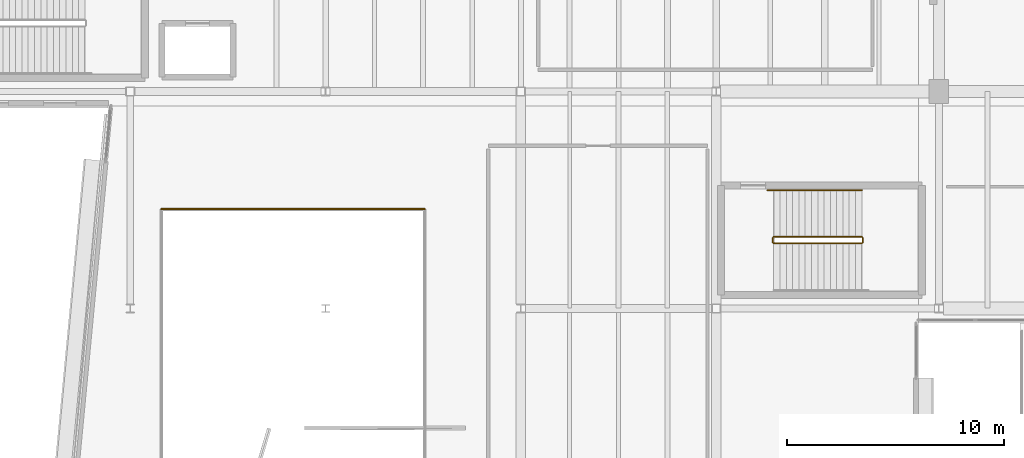
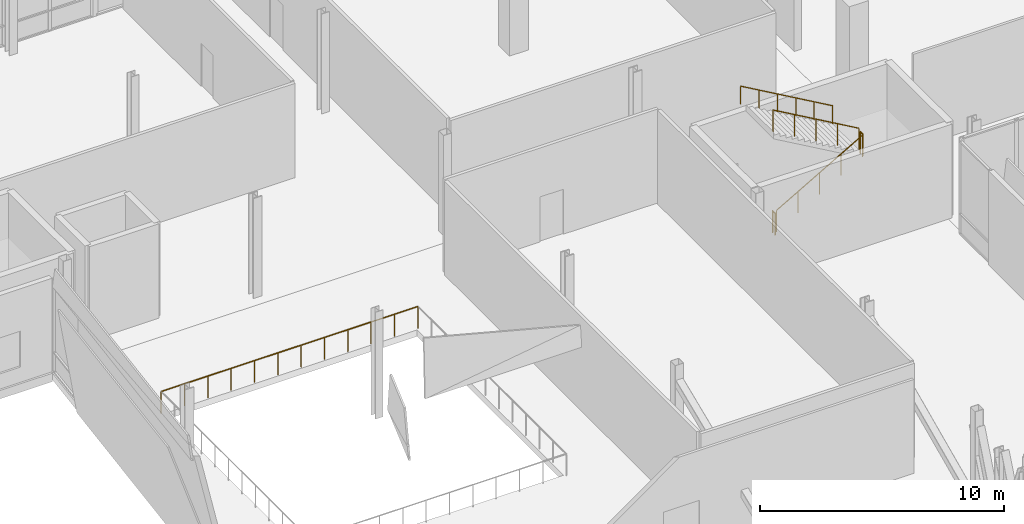
# One storey, part 51 of 60: 6 railings.
"""IFC4 building model written with IfcOpenShell, lengths in metres."""

import ifcopenshell
import ifcopenshell.guid

model = None  # the IFC model being written
_history = None  # IfcOwnerHistory: only IFC2X3 demands one
_inside = {}  # id of a spatial element -> (the spatial element, [elements in it])
_under = {}  # id of a project, library or spatial element -> (it, [spatial elements below it])
_declared = {}  # id of a project -> (the project, [libraries it declares])
_typed = {}  # id of a type object -> (the type object, [elements of that type])
_made_of = {}  # id of a material, layer set ... -> (it, [elements and type objects made of it])


def new_model(schema):
    """Start an empty IFC model of exactly this schema.

    Asked for "IFC4X3", IfcOpenShell would pick the latest addendum, in which some entities
    have other attributes; the version numbers below select the first issue.
    IFC2X3 requires an IfcOwnerHistory on every rooted entity: one is made here for all.
    """
    global model, _history
    if schema == "IFC4X3":
        model = ifcopenshell.file(schema_version=(4, 3, 0, 0))
    else:
        model = ifcopenshell.file(schema=schema)
    _inside.clear()
    _under.clear()
    _declared.clear()
    _typed.clear()
    _made_of.clear()
    _history = None
    if model.schema == "IFC2X3":
        org = make("IfcOrganization", Name="unknown")
        user = make(
            "IfcPersonAndOrganization",
            ThePerson=make("IfcPerson", FamilyName="unknown"),
            TheOrganization=org,
        )
        app = make(
            "IfcApplication",
            ApplicationDeveloper=org,
            Version="unknown",
            ApplicationFullName="unknown",
            ApplicationIdentifier="unknown",
        )
        _history = make(
            "IfcOwnerHistory",
            OwningUser=user,
            OwningApplication=app,
            ChangeAction="ADDED",
            CreationDate=0,
        )
    return model


def make(cls, **values):
    """One entity of the class cls with the attributes given. An attribute that is None is left unset."""
    return model.create_entity(
        cls, **{name: value for name, value in values.items() if value is not None}
    )


def rooted(cls, **values):
    """An entity with a GlobalId (a new one), such as an element, a storey or a relation."""
    return make(cls, GlobalId=ifcopenshell.guid.new(), OwnerHistory=_history, **values)


def si_unit(unit_type, name, prefix=None):
    """IfcSIUnit, for example si_unit("LENGTHUNIT", "METRE", prefix="MILLI")."""
    return make("IfcSIUnit", UnitType=unit_type, Prefix=prefix, Name=name)


def assignment(units):
    """IfcUnitAssignment: the units of a project."""
    return None if units is None else make("IfcUnitAssignment", Units=units)


def point(xyz):
    """IfcCartesianPoint."""
    return None if xyz is None else make("IfcCartesianPoint", Coordinates=xyz)


def direction(xyz):
    """IfcDirection."""
    return None if xyz is None else make("IfcDirection", DirectionRatios=xyz)


def frame(location, z_axis=None, x_axis=None):
    """IfcAxis2Placement3D, a coordinate frame: its origin and axes. An axis left out is left unset."""
    return make(
        "IfcAxis2Placement3D",
        Location=point(location),
        Axis=direction(z_axis),
        RefDirection=direction(x_axis),
    )


def frame_2d(location, x_axis=None):
    """IfcAxis2Placement2D, a coordinate frame in the plane: its origin and x axis."""
    return make(
        "IfcAxis2Placement2D", Location=point(location), RefDirection=direction(x_axis)
    )


def origin():
    """The frame at (0, 0, 0) with its axes left unset."""
    return frame((0.0, 0.0, 0.0))


def origin_2d():
    """The frame at (0, 0) in the plane with its x axis left unset."""
    return frame_2d((0.0, 0.0))


def place(relative_to, where):
    """IfcLocalPlacement: puts the frame where relative to a parent placement (None: the world)."""
    return make(
        "IfcLocalPlacement", PlacementRelTo=relative_to, RelativePlacement=where
    )


def context(
    kind, dimensions, precision=None, world=None, true_north=None, identifier=None
):
    """IfcGeometricRepresentationContext, for example the 3D "Model" context."""
    return make(
        "IfcGeometricRepresentationContext",
        ContextIdentifier=identifier,
        ContextType=kind,
        CoordinateSpaceDimension=dimensions,
        Precision=precision,
        WorldCoordinateSystem=world,
        TrueNorth=true_north,
    )


def subcontext(parent, identifier, kind, view, scale=None):
    """IfcGeometricRepresentationSubContext, for example "Body" below "Model"."""
    return make(
        "IfcGeometricRepresentationSubContext",
        ContextIdentifier=identifier,
        ContextType=kind,
        ParentContext=parent,
        TargetScale=scale,
        TargetView=view,
    )


def project(units=None, contexts=None):
    """IfcProject with its units and contexts."""
    return rooted(
        "IfcProject",
        Name="project",
        RepresentationContexts=contexts,
        UnitsInContext=assignment(units),
    )


def spatial(cls, under=None, at=None, **own):
    """A site, building, storey or space (cls), placed at a placement, below another one or the project."""
    s = rooted(cls, ObjectPlacement=at, **own)
    if under is not None:
        _under.setdefault(under.id(), (under, []))[1].append(s)
    return s


def profile(cls, at=None, kind="AREA", **sizes):
    """A parametric profile (cls). Its sizes go by their IFC names, for example OverallWidth=200.0."""
    return make(cls, ProfileType=kind, Position=at, **sizes)


def circle(**sizes):
    """IfcCircleProfileDef."""
    return profile("IfcCircleProfileDef", **sizes)


def extrude(swept, where, along, depth):
    """IfcExtrudedAreaSolid: the profile swept, set in the frame where, extruded along a direction by depth."""
    return make(
        "IfcExtrudedAreaSolid",
        SweptArea=swept,
        Position=where,
        ExtrudedDirection=direction(along),
        Depth=depth,
    )


def shape(context_of_items, identifier, shape_type, items):
    """IfcShapeRepresentation: the items that make up one representation, for example the "Body"."""
    return make(
        "IfcShapeRepresentation",
        ContextOfItems=context_of_items,
        RepresentationIdentifier=identifier,
        RepresentationType=shape_type,
        Items=items,
    )


def material(Name=None, Category=None):
    """IfcMaterial."""
    return make("IfcMaterial", Name=Name, Category=Category)


def made_of(thing, what):
    """Note that an element or type object is made of a material, layer set ...; save() writes the relation."""
    if what is not None:
        _made_of.setdefault(what.id(), (what, []))[1].append(thing)
    return thing


def type_object(cls, material=None, **own):
    """A type object (cls), such as IfcWallType, which elements share."""
    return made_of(rooted(cls, **own), material)


def element(
    cls,
    number,
    at=None,
    inside=None,
    cuts=None,
    type_object=None,
    material=None,
    context=None,
    identifier="Body",
    shape_type=None,
    held_by="IfcProductDefinitionShape",
    body=None,
    shapes=None,
    **own,
):
    """One element of the class cls, such as IfcWall. Its Tag is "e" and its number.

    at: its placement. inside: the storey or other place that contains it. cuts: it is an
    opening in that element (IfcRelVoidsElement). A single representation is given by context,
    identifier, shape_type and body (its items); several are given by shapes. held_by: the class
    of the entity that holds the representations. save() writes the other relations.
    """
    e = rooted(cls, Tag="e%d" % number, ObjectPlacement=at, **own)
    if body is not None:
        shapes = [shape(context, identifier, shape_type, body)]
    if shapes is not None:
        e.Representation = make(held_by, Representations=shapes)
    if inside is not None:
        _inside.setdefault(inside.id(), (inside, []))[1].append(e)
    if cuts is not None:
        rooted(
            "IfcRelVoidsElement", RelatingBuildingElement=cuts, RelatedOpeningElement=e
        )
    if type_object is not None:
        _typed.setdefault(type_object.id(), (type_object, []))[1].append(e)
    return made_of(e, material)


def aggregate(whole, parts):
    """IfcRelAggregates: a whole, such as a stair, and the parts it consists of."""
    return rooted("IfcRelAggregates", RelatingObject=whole, RelatedObjects=parts)


def save(model, path):
    """Write the relations noted so far, then the file.

    IfcRelAggregates (storeys below a building ...), IfcRelContainedInSpatialStructure (elements
    in a storey), IfcRelDefinesByType, IfcRelAssociatesMaterial and IfcRelDeclares: one each for
    every whole, place, type object, material and project.
    """
    for whole, parts in _under.values():
        aggregate(whole, parts)
    for where, things in _inside.values():
        rooted(
            "IfcRelContainedInSpatialStructure",
            RelatedElements=things,
            RelatingStructure=where,
        )
    for kind, things in _typed.values():
        rooted("IfcRelDefinesByType", RelatedObjects=things, RelatingType=kind)
    for what, things in _made_of.values():
        rooted("IfcRelAssociatesMaterial", RelatedObjects=things, RelatingMaterial=what)
    for by, libraries in _declared.values():
        rooted("IfcRelDeclares", RelatingContext=by, RelatedDefinitions=libraries)
    model.write(path)


model = new_model("IFC4")

# Units and contexts
model_context = context("Model", 3, precision=1e-05, world=origin(), true_north=direction((0.0, 1.0)))
body_context = subcontext(model_context, "Body", "Model", "MODEL_VIEW")
ifc_project = project(units=[si_unit("LENGTHUNIT", "METRE"), si_unit("AREAUNIT", "SQUARE_METRE"), si_unit("VOLUMEUNIT", "CUBIC_METRE"), si_unit("PLANEANGLEUNIT", "RADIAN"), si_unit("MASSUNIT", "GRAM", prefix="KILO")], contexts=[model_context])

# Site, building, storey
site_placement = place(None, origin())
site = spatial("IfcSite", under=ifc_project, at=site_placement, CompositionType="ELEMENT")
building_placement = place(site_placement, origin())
building = spatial("IfcBuilding", under=site, at=building_placement, Name="Trimount Lyric Opera House", CompositionType="ELEMENT")
storey_placement = place(building_placement, frame((0.0, 0.0, 15.0)))
storey = spatial("IfcBuildingStorey", under=building, at=storey_placement, Name="L03", CompositionType="ELEMENT", Elevation=15.0)

# Railings
ifc_material_1 = material(Name="Bronze and Laminated Acoustic Glass", Category="glass")
railing_type_1 = type_object("IfcRailingType", Name="RL-BAL112", PredefinedType="BALUSTRADE", material=ifc_material_1)
railing_1_placement = place(storey_placement, frame((40.580078125, 48.580078125, 0.0)))
element("IfcRailing", 1, at=railing_1_placement, inside=storey, type_object=railing_type_1, Name="L03 atrium and balcony guard GRD-ST-L03-N", PredefinedType="BALUSTRADE", context=body_context, shape_type="SweptSolid", body=[
    extrude(circle(Radius=0.02734375, at=origin_2d()), frame((0.0, 0.0, 1.0927734375), z_axis=(-1.0, 0.0, 0.0), x_axis=(0.0, -1.0, 0.0)), (0.0, 0.0, 1.0), 12.16015625),
    extrude(circle(Radius=0.02099609375, at=origin_2d()), origin(), (0.0, 0.0, 1.0), 1.065185546875),
    extrude(circle(Radius=0.02099609375, at=origin_2d()), frame((-1.10546875, 0.0, 0.0)), (0.0, 0.0, 1.0), 1.065185546875),
    extrude(circle(Radius=0.02099609375, at=origin_2d()), frame((-2.2109375, 0.0, 0.0)), (0.0, 0.0, 1.0), 1.065185546875),
    extrude(circle(Radius=0.02099609375, at=origin_2d()), frame((-3.31640625, 0.0, 0.0)), (0.0, 0.0, 1.0), 1.065185546875),
    extrude(circle(Radius=0.02099609375, at=origin_2d()), frame((-4.421875, 0.0, 0.0)), (0.0, 0.0, 1.0), 1.065185546875),
    extrude(circle(Radius=0.02099609375, at=origin_2d()), frame((-5.52734375, 0.0, 0.0)), (0.0, 0.0, 1.0), 1.065185546875),
    extrude(circle(Radius=0.02099609375, at=origin_2d()), frame((-6.6328125, 0.0, 0.0)), (0.0, 0.0, 1.0), 1.065185546875),
    extrude(circle(Radius=0.02099609375, at=origin_2d()), frame((-7.73828125, 0.0, 0.0)), (0.0, 0.0, 1.0), 1.065185546875),
    extrude(circle(Radius=0.02099609375, at=origin_2d()), frame((-8.84375, 0.0, 0.0)), (0.0, 0.0, 1.0), 1.065185546875),
    extrude(circle(Radius=0.02099609375, at=origin_2d()), frame((-9.94921875, 0.0, 0.0)), (0.0, 0.0, 1.0), 1.065185546875),
    extrude(circle(Radius=0.02099609375, at=origin_2d()), frame((-11.0546875, 0.0, 0.0)), (0.0, 0.0, 1.0), 1.065185546875),
    extrude(circle(Radius=0.02099609375, at=origin_2d()), frame((-12.16015625, 0.0, 0.0)), (0.0, 0.0, 1.0), 1.065185546875),
])
ifc_material_2 = material(Name="Brushed Stainless Steel 316", Category="steel")
railing_type_2 = type_object("IfcRailingType", Name="RL-GRD110", PredefinedType="GUARDRAIL", material=ifc_material_2)
railing_2_placement = place(storey_placement, frame((56.64990234375, 47.0, 0.166748046875)))
element("IfcRailing", 2, at=railing_2_placement, inside=storey, type_object=railing_type_2, Name="L03 ST-07 stair guard 1", PredefinedType="GUARDRAIL", context=body_context, shape_type="SweptSolid", body=[
    extrude(circle(Radius=0.02392578125, at=origin_2d()), frame((0.0, 0.0, 1.076171875), z_axis=(0.867024558463, 0.0, 0.498265406207), x_axis=(0.0, 1.0, 0.0)), (0.0, 0.0, 1.0), 4.682861328125),
    extrude(circle(Radius=0.02099609375, at=origin_2d()), origin(), (0.0, 0.0, 1.0), 1.052001953125),
    extrude(circle(Radius=0.02099609375, at=origin_2d()), frame((1.01513671875, 0.0, 0.583251953125)), (0.0, 0.0, 1.0), 1.052001953125),
    extrude(circle(Radius=0.02099609375, at=origin_2d()), frame((2.030029296875, 0.0, 1.16650390625)), (0.0, 0.0, 1.0), 1.052001953125),
    extrude(circle(Radius=0.02099609375, at=origin_2d()), frame((3.044921875, 0.0, 1.75)), (0.0, 0.0, 1.0), 1.052001953125),
    extrude(circle(Radius=0.02099609375, at=origin_2d()), frame((4.06005859375, 0.0, 2.333251953125)), (0.0, 0.0, 1.0), 1.052001953125),
])
railing_3_placement = place(storey_placement, frame((60.760009765625, 47.050048828125, 2.5)))
element("IfcRailing", 3, at=railing_3_placement, inside=storey, type_object=railing_type_2, Name="L03 ST-07 stair guard 2", PredefinedType="GUARDRAIL", context=body_context, shape_type="SweptSolid", body=[
    extrude(circle(Radius=0.02392578125, at=origin_2d()), frame((0.0, 0.0, 1.076171875), z_axis=(0.0, 1.0, 0.0), x_axis=(-1.0, 0.0, 0.0)), (0.0, 0.0, 1.0), 0.199951171875),
    extrude(circle(Radius=0.02099609375, at=origin_2d()), origin(), (0.0, 0.0, 1.0), 1.052001953125),
    extrude(circle(Radius=0.02099609375, at=origin_2d()), frame((0.0, 0.199951171875, 0.0)), (0.0, 0.0, 1.0), 1.052001953125),
])
railing_4_placement = place(storey_placement, frame((60.7099609375, 47.300048828125, 2.666748046875)))
element("IfcRailing", 4, at=railing_4_placement, inside=storey, type_object=railing_type_2, Name="L03 ST-07 stair guard 3", PredefinedType="GUARDRAIL", context=body_context, shape_type="SweptSolid", body=[
    extrude(circle(Radius=0.02392578125, at=origin_2d()), frame((0.0, 0.0, 1.076171875), z_axis=(-0.867024558463, 0.0, 0.498265406207), x_axis=(0.0, -1.0, 0.0)), (0.0, 0.0, 1.0), 4.682861328125),
    extrude(circle(Radius=0.02099609375, at=origin_2d()), origin(), (0.0, 0.0, 1.0), 1.052001953125),
    extrude(circle(Radius=0.02099609375, at=origin_2d()), frame((-1.01513671875, 0.0, 0.583251953125)), (0.0, 0.0, 1.0), 1.052001953125),
    extrude(circle(Radius=0.02099609375, at=origin_2d()), frame((-2.030029296875, 0.0, 1.16650390625)), (0.0, 0.0, 1.0), 1.052001953125),
    extrude(circle(Radius=0.02099609375, at=origin_2d()), frame((-3.044921875, 0.0, 1.75)), (0.0, 0.0, 1.0), 1.052001953125),
    extrude(circle(Radius=0.02099609375, at=origin_2d()), frame((-4.06005859375, 0.0, 2.333251953125)), (0.0, 0.0, 1.0), 1.052001953125),
])
railing_5_placement = place(storey_placement, frame((56.60009765625, 47.050048828125, 0.0)))
element("IfcRailing", 5, at=railing_5_placement, inside=storey, type_object=railing_type_2, Name="L03 ST-07 stair guard 4", PredefinedType="GUARDRAIL", context=body_context, shape_type="SweptSolid", body=[
    extrude(circle(Radius=0.02392578125, at=origin_2d()), frame((0.0, 0.0, 1.076171875), z_axis=(0.0, 1.0, 0.0), x_axis=(-1.0, 0.0, 0.0)), (0.0, 0.0, 1.0), 0.199951171875),
    extrude(circle(Radius=0.02099609375, at=origin_2d()), origin(), (0.0, 0.0, 1.0), 1.052001953125),
    extrude(circle(Radius=0.02099609375, at=origin_2d()), frame((0.0, 0.199951171875, 0.0)), (0.0, 0.0, 1.0), 1.052001953125),
])
ifc_material_3 = material(Name="Brushed Stainless Steel 316", Category="steel")
railing_type_3 = type_object("IfcRailingType", Name="RL-HND092", PredefinedType="HANDRAIL", material=ifc_material_3)
railing_6_placement = place(storey_placement, frame((60.7099609375, 49.449951171875, 2.666748046875)))
element("IfcRailing", 6, at=railing_6_placement, inside=storey, type_object=railing_type_3, Name="L03 ST-07 stair handrail 2", PredefinedType="HANDRAIL", context=body_context, shape_type="SweptSolid", body=[
    extrude(circle(Radius=0.0224609375, at=origin_2d()), frame((0.0, 0.0, 0.8974609375), z_axis=(-0.866754379005, 0.0, 0.498735246875), x_axis=(0.0, -1.0, 0.0)), (0.0, 0.0, 1.0), 5.0185546875),
    extrude(circle(Radius=0.02099609375, at=origin_2d()), origin(), (0.0, 0.0, 1.0), 0.875),
    extrude(circle(Radius=0.02099609375, at=origin_2d()), frame((-0.869873046875, 0.0, 0.50048828125)), (0.0, 0.0, 1.0), 0.875),
    extrude(circle(Radius=0.02099609375, at=origin_2d()), frame((-1.739990234375, 0.0, 1.001220703125)), (0.0, 0.0, 1.0), 0.875),
    extrude(circle(Radius=0.02099609375, at=origin_2d()), frame((-2.60986328125, 0.0, 1.501708984375)), (0.0, 0.0, 1.0), 0.875),
    extrude(circle(Radius=0.02099609375, at=origin_2d()), frame((-3.47998046875, 0.0, 2.00244140625)), (0.0, 0.0, 1.0), 0.875),
    extrude(circle(Radius=0.02099609375, at=origin_2d()), frame((-4.349853515625, 0.0, 2.5029296875)), (0.0, 0.0, 1.0), 0.875),
])

save(model, "model.ifc")
